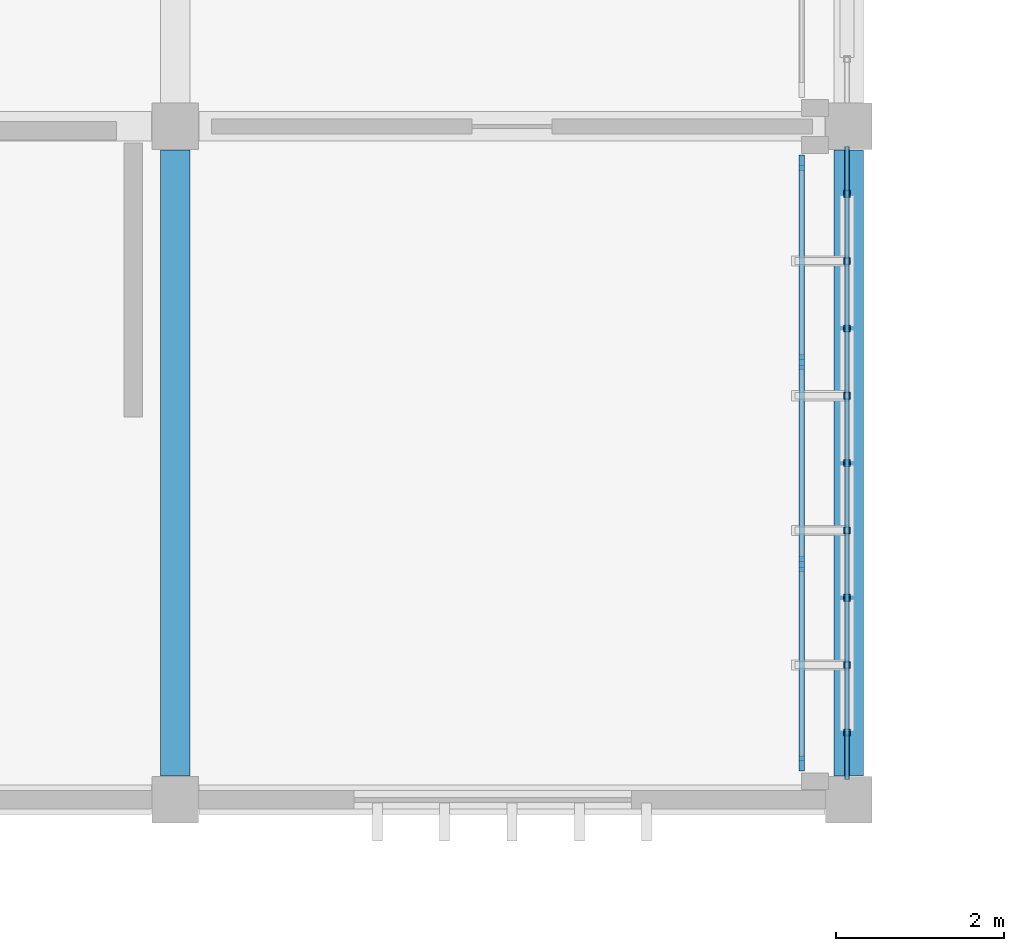
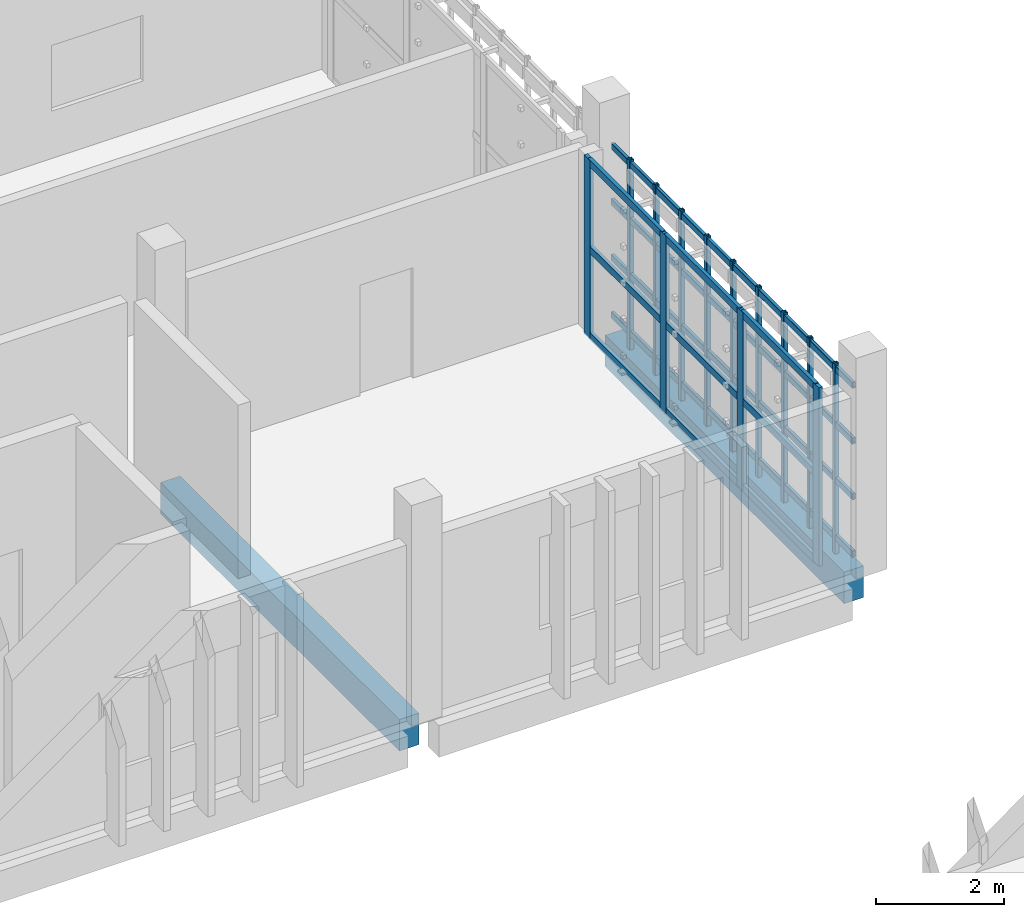
# One storey, part 14 of 32: 26 members, 2 beams, 1 element without a shape of its own.
"""IFC4 building model written with IfcOpenShell, lengths in metres."""

from ifc_helpers import new_model, si_unit, direction, frame, origin, origin_2d, place, context, subcontext, project, spatial, rectangle, hollow_rectangle, extrude, material, layer, layer_set, material_profile, profile_set, type_object, element, aggregate, save


model = new_model("IFC4")

# Units and contexts
model_context = context("Model", 3, precision=1e-05, world=origin(), true_north=direction((0.0, 1.0)))
body_context = subcontext(model_context, "Body", "Model", "MODEL_VIEW")
ifc_project = project(units=[si_unit("LENGTHUNIT", "METRE"), si_unit("AREAUNIT", "SQUARE_METRE"), si_unit("VOLUMEUNIT", "CUBIC_METRE"), si_unit("PLANEANGLEUNIT", "RADIAN"), si_unit("MASSUNIT", "GRAM", prefix="KILO")], contexts=[model_context])

# Site, building, storey
site_placement = place(None, origin())
site = spatial("IfcSite", under=ifc_project, at=site_placement, CompositionType="ELEMENT")
building_placement = place(site_placement, origin())
building = spatial("IfcBuilding", under=site, at=building_placement, Name="Jelvoka-Kovrelna Polytechnic", CompositionType="ELEMENT")
storey_placement = place(building_placement, frame((0.0, 0.0, 26.39990234375)))
storey = spatial("IfcBuildingStorey", under=building, at=storey_placement, Name="L07", CompositionType="ELEMENT", Elevation=26.39990234375)

# Beams
ifc_material_1 = material(Name="Concrete C35/45", Category="concrete")
ifc_material_profile_1 = material_profile(ifc_material_1, rectangle(XDim=0.35009765625, YDim=0.60009765625, at=origin_2d()), Name="RC 350x600")
ifc_profile_set_1 = profile_set([ifc_material_profile_1], Name="Concrete C35/45")
beam_type = type_object("IfcBeamType", Name="Beam_RC_350x600", PredefinedType="BEAM", material=ifc_profile_set_1)
for number, where, z_axis, x_axis, name in (
    (1, (176.0, 56.280029296875, -0.539794921875), (0.0, 1.0, 0.0), (-1.0, 0.0, 0.0), "L07 beam 1897"),
    (2, (184.0, 56.280029296875, -0.539794921875), (0.0, 1.0, 0.0), (-1.0, 0.0, 0.0), "L07 beam 1899"),
):
    element("IfcBeam", number, at=place(storey_placement, frame(where, z_axis=z_axis, x_axis=x_axis)), inside=storey, type_object=beam_type, Name=name, PredefinedType="BEAM", context=body_context, shape_type="SweptSolid", body=[
        extrude(rectangle(XDim=0.35009765625, YDim=0.60009765625, at=origin_2d()), origin(), (0.0, 0.0, 1.0), 7.43994140625),
    ])

# Members
ifc_material_2 = material(Name="Structural steel S355J2H", Category="steel")
ifc_material_profile_2 = material_profile(ifc_material_2, hollow_rectangle(XDim=0.06005859375, YDim=0.1201171875, WallThickness=0.0048828125, InnerFilletRadius=0.0048828125, OuterFilletRadius=0.007568359375, at=origin_2d()), Name="120x60x5.0 RHS")
ifc_profile_set_2 = profile_set([ifc_material_profile_2], Name="Structural steel S355J2H")
member_type_1 = type_object("IfcMemberType", Name="Member_Strut_RHS120", PredefinedType="STRUT", material=ifc_profile_set_2)
for number, where, z_axis, x_axis, name in (
    (3, (183.97998046875, 56.239990234375, 0.080078125), (0.0, 1.0, 0.0), (-1.0, 0.0, 0.0), "L07 terracotta screen horizontal strut 0807"),
    (4, (183.97998046875, 56.239990234375, 1.17138671875), (0.0, 1.0, 0.0), (-1.0, 0.0, 0.0), "L07 terracotta screen horizontal strut 0808"),
    (5, (183.97998046875, 56.239990234375, 2.230712890625), (0.0, 1.0, 0.0), (-1.0, 0.0, 0.0), "L07 terracotta screen horizontal strut 0809"),
    (6, (183.97998046875, 56.239990234375, 3.2900390625), (0.0, 1.0, 0.0), (-1.0, 0.0, 0.0), "L07 terracotta screen horizontal strut 0810"),
):
    element("IfcMember", number, at=place(storey_placement, frame(where, z_axis=z_axis, x_axis=x_axis)), inside=storey, type_object=member_type_1, Name=name, PredefinedType="STRUT", context=body_context, shape_type="SweptSolid", body=[
        extrude(hollow_rectangle(XDim=0.06005859375, YDim=0.1201171875, WallThickness=0.0048828125, InnerFilletRadius=0.0048828125, OuterFilletRadius=0.007568359375, at=origin_2d()), origin(), (0.0, 0.0, 1.0), 7.52001953125),
    ])
ifc_material_3 = material(Name="Structural steel S355J2H", Category="steel")
ifc_material_profile_3 = material_profile(ifc_material_3, hollow_rectangle(XDim=0.080078125, YDim=0.080078125, WallThickness=0.0048828125, InnerFilletRadius=0.0048828125, OuterFilletRadius=0.007568359375, at=origin_2d()), Name="80x80x5.0 SHS")
ifc_profile_set_3 = profile_set([ifc_material_profile_3], Name="Structural steel S355J2H")
member_type_2 = type_object("IfcMemberType", Name="Member_Strut_SHS80", PredefinedType="STRUT", material=ifc_profile_set_3)
for number, where, z_axis, x_axis, name in (
    (7, (183.97998046875, 56.800048828125, -0.22998046875), (0.0, 0.0, 1.0), (1.0, 0.0, 0.0), "L07 terracotta lattice vertical rib 0811"),
    (8, (183.97998046875, 57.60009765625, -0.22998046875), (0.0, 0.0, 1.0), (1.0, 0.0, 0.0), "L07 terracotta lattice vertical rib 0812"),
    (9, (183.97998046875, 58.39990234375, -0.22998046875), (0.0, 0.0, 1.0), (1.0, 0.0, 0.0), "L07 terracotta lattice vertical rib 0813"),
    (10, (183.97998046875, 59.199951171875, -0.22998046875), (0.0, 0.0, 1.0), (1.0, 0.0, 0.0), "L07 terracotta lattice vertical rib 0814"),
    (11, (183.97998046875, 60.0, -0.22998046875), (0.0, 0.0, 1.0), (1.0, 0.0, 0.0), "L07 terracotta lattice vertical rib 0815"),
    (12, (183.97998046875, 60.800048828125, -0.22998046875), (0.0, 0.0, 1.0), (1.0, 0.0, 0.0), "L07 terracotta lattice vertical rib 0816"),
    (13, (183.97998046875, 61.60009765625, -0.22998046875), (0.0, 0.0, 1.0), (1.0, 0.0, 0.0), "L07 terracotta lattice vertical rib 0817"),
    (14, (183.97998046875, 62.39990234375, -0.22998046875), (0.0, 0.0, 1.0), (1.0, 0.0, 0.0), "L07 terracotta lattice vertical rib 0818"),
    (15, (183.97998046875, 63.199951171875, -0.22998046875), (0.0, 0.0, 1.0), (1.0, 0.0, 0.0), "L07 terracotta lattice vertical rib 0819"),
):
    element("IfcMember", number, at=place(storey_placement, frame(where, z_axis=z_axis, x_axis=x_axis)), inside=storey, type_object=member_type_2, Name=name, PredefinedType="STRUT", context=body_context, shape_type="SweptSolid", body=[
        extrude(hollow_rectangle(XDim=0.080078125, YDim=0.080078125, WallThickness=0.0048828125, InnerFilletRadius=0.0048828125, OuterFilletRadius=0.007568359375, at=origin_2d()), origin(), (0.0, 0.0, 1.0), 3.610107421875),
    ])

# Curtain wall, members
ifc_material_4 = material(Name="Anodised aluminium 6063-T6", Category="aluminium")
ifc_layer = layer(ifc_material_4, 0.179931640625)
ifc_layer_set = layer_set([ifc_layer], Name="Anodised aluminium 6063-T6")
curtain_wall_type = type_object("IfcCurtainWallType", Name="CW_Recessed_B", PredefinedType="NOTDEFINED", material=ifc_layer_set)
curtain_wall_placement = place(storey_placement, origin())
curtain_wall = element("IfcCurtainWall", 16, at=curtain_wall_placement, inside=storey, type_object=curtain_wall_type, Name="L07 glazed curtain wall 095", PredefinedType="NOTDEFINED")
ifc_material_5 = material(Name="Anodised aluminium 6063-T6", Category="aluminium")
ifc_material_profile_4 = material_profile(ifc_material_5, rectangle(XDim=0.06494140625, YDim=0.179931640625, at=origin_2d()), Name="ALU 65x180")
ifc_profile_set_4 = profile_set([ifc_material_profile_4], Name="Anodised aluminium 6063-T6")
member_type_3 = type_object("IfcMemberType", Name="Mullion_M-02", PredefinedType="MULLION", material=ifc_profile_set_4)
member_1_placement = place(storey_placement, frame((183.43994140625, 63.5673828125, -0.02490234375), z_axis=(0.0, 0.0, 1.0), x_axis=(1.0, 0.0, 0.0)))
member_1 = element("IfcMember", 17, at=member_1_placement, type_object=member_type_3, Name="CW-02 mullion 1", PredefinedType="MULLION", context=body_context, shape_type="SweptSolid", body=[
    extrude(rectangle(XDim=0.06494140625, YDim=0.179931640625, at=origin_2d()), origin(), (0.0, 0.0, 1.0), 3.400146484375),
])
member_2_placement = place(storey_placement, frame((183.43994140625, 61.199951171875, -0.02490234375), z_axis=(0.0, 0.0, 1.0), x_axis=(1.0, 0.0, 0.0)))
member_2 = element("IfcMember", 18, at=member_2_placement, type_object=member_type_3, Name="CW-02 mullion 2", PredefinedType="MULLION", context=body_context, shape_type="SweptSolid", body=[
    extrude(rectangle(XDim=0.06494140625, YDim=0.179931640625, at=origin_2d()), origin(), (0.0, 0.0, 1.0), 3.400146484375),
])
member_3_placement = place(storey_placement, frame((183.43994140625, 58.800048828125, -0.02490234375), z_axis=(0.0, 0.0, 1.0), x_axis=(1.0, 0.0, 0.0)))
member_3 = element("IfcMember", 19, at=member_3_placement, type_object=member_type_3, Name="CW-02 mullion 3", PredefinedType="MULLION", context=body_context, shape_type="SweptSolid", body=[
    extrude(rectangle(XDim=0.06494140625, YDim=0.179931640625, at=origin_2d()), origin(), (0.0, 0.0, 1.0), 3.400146484375),
])
member_4_placement = place(storey_placement, frame((183.43994140625, 56.4326171875, -0.02490234375), z_axis=(0.0, 0.0, 1.0), x_axis=(1.0, 0.0, 0.0)))
member_4 = element("IfcMember", 20, at=member_4_placement, type_object=member_type_3, Name="CW-02 mullion 4", PredefinedType="MULLION", context=body_context, shape_type="SweptSolid", body=[
    extrude(rectangle(XDim=0.06494140625, YDim=0.179931640625, at=origin_2d()), origin(), (0.0, 0.0, 1.0), 3.400146484375),
])
ifc_material_6 = material(Name="Anodised aluminium 6063-T6", Category="aluminium")
ifc_material_profile_5 = material_profile(ifc_material_6, rectangle(XDim=0.06494140625, YDim=0.135009765625, at=origin_2d()), Name="ALU 65x135")
ifc_profile_set_5 = profile_set([ifc_material_profile_5], Name="Anodised aluminium 6063-T6")
member_type_4 = type_object("IfcMemberType", Name="Transom_T-02", PredefinedType="USERDEFINED", material=ifc_profile_set_5)
member_5_placement = place(storey_placement, frame((183.43994140625, 63.534912109375, 0.03271484375), z_axis=(0.0, -1.0, 0.0), x_axis=(1.0, 0.0, 0.0)))
member_5 = element("IfcMember", 21, at=member_5_placement, type_object=member_type_4, Name="CW-02 transom 1.1", ObjectType="TRANSOM", PredefinedType="USERDEFINED", context=body_context, shape_type="SweptSolid", body=[
    extrude(rectangle(XDim=0.06494140625, YDim=0.135009765625, at=origin_2d()), origin(), (0.0, 0.0, 1.0), 2.302490234375),
])
member_6_placement = place(storey_placement, frame((183.43994140625, 63.534912109375, 1.675048828125), z_axis=(0.0, -1.0, 0.0), x_axis=(1.0, 0.0, 0.0)))
member_6 = element("IfcMember", 22, at=member_6_placement, type_object=member_type_4, Name="CW-02 transom 1.2", ObjectType="TRANSOM", PredefinedType="USERDEFINED", context=body_context, shape_type="SweptSolid", body=[
    extrude(rectangle(XDim=0.06494140625, YDim=0.135009765625, at=origin_2d()), origin(), (0.0, 0.0, 1.0), 2.302490234375),
])
member_7_placement = place(storey_placement, frame((183.43994140625, 63.534912109375, 3.317626953125), z_axis=(0.0, -1.0, 0.0), x_axis=(1.0, 0.0, 0.0)))
member_7 = element("IfcMember", 23, at=member_7_placement, type_object=member_type_4, Name="CW-02 transom 1.3", ObjectType="TRANSOM", PredefinedType="USERDEFINED", context=body_context, shape_type="SweptSolid", body=[
    extrude(rectangle(XDim=0.06494140625, YDim=0.135009765625, at=origin_2d()), origin(), (0.0, 0.0, 1.0), 2.302490234375),
])
member_8_placement = place(storey_placement, frame((183.43994140625, 61.16748046875, 0.03271484375), z_axis=(0.0, -1.0, 0.0), x_axis=(1.0, 0.0, 0.0)))
member_8 = element("IfcMember", 24, at=member_8_placement, type_object=member_type_4, Name="CW-02 transom 2.1", ObjectType="TRANSOM", PredefinedType="USERDEFINED", context=body_context, shape_type="SweptSolid", body=[
    extrude(rectangle(XDim=0.06494140625, YDim=0.135009765625, at=origin_2d()), origin(), (0.0, 0.0, 1.0), 2.3349609375),
])
member_9_placement = place(storey_placement, frame((183.43994140625, 61.16748046875, 1.675048828125), z_axis=(0.0, -1.0, 0.0), x_axis=(1.0, 0.0, 0.0)))
member_9 = element("IfcMember", 25, at=member_9_placement, type_object=member_type_4, Name="CW-02 transom 2.2", ObjectType="TRANSOM", PredefinedType="USERDEFINED", context=body_context, shape_type="SweptSolid", body=[
    extrude(rectangle(XDim=0.06494140625, YDim=0.135009765625, at=origin_2d()), origin(), (0.0, 0.0, 1.0), 2.3349609375),
])
member_10_placement = place(storey_placement, frame((183.43994140625, 61.16748046875, 3.317626953125), z_axis=(0.0, -1.0, 0.0), x_axis=(1.0, 0.0, 0.0)))
member_10 = element("IfcMember", 26, at=member_10_placement, type_object=member_type_4, Name="CW-02 transom 2.3", ObjectType="TRANSOM", PredefinedType="USERDEFINED", context=body_context, shape_type="SweptSolid", body=[
    extrude(rectangle(XDim=0.06494140625, YDim=0.135009765625, at=origin_2d()), origin(), (0.0, 0.0, 1.0), 2.3349609375),
])
member_11_placement = place(storey_placement, frame((183.43994140625, 58.767578125, 0.03271484375), z_axis=(0.0, -1.0, 0.0), x_axis=(1.0, 0.0, 0.0)))
member_11 = element("IfcMember", 27, at=member_11_placement, type_object=member_type_4, Name="CW-02 transom 3.1", ObjectType="TRANSOM", PredefinedType="USERDEFINED", context=body_context, shape_type="SweptSolid", body=[
    extrude(rectangle(XDim=0.06494140625, YDim=0.135009765625, at=origin_2d()), origin(), (0.0, 0.0, 1.0), 2.302490234375),
])
member_12_placement = place(storey_placement, frame((183.43994140625, 58.767578125, 1.675048828125), z_axis=(0.0, -1.0, 0.0), x_axis=(1.0, 0.0, 0.0)))
member_12 = element("IfcMember", 28, at=member_12_placement, type_object=member_type_4, Name="CW-02 transom 3.2", ObjectType="TRANSOM", PredefinedType="USERDEFINED", context=body_context, shape_type="SweptSolid", body=[
    extrude(rectangle(XDim=0.06494140625, YDim=0.135009765625, at=origin_2d()), origin(), (0.0, 0.0, 1.0), 2.302490234375),
])
member_13_placement = place(storey_placement, frame((183.43994140625, 58.767578125, 3.317626953125), z_axis=(0.0, -1.0, 0.0), x_axis=(1.0, 0.0, 0.0)))
member_13 = element("IfcMember", 29, at=member_13_placement, type_object=member_type_4, Name="CW-02 transom 3.3", ObjectType="TRANSOM", PredefinedType="USERDEFINED", context=body_context, shape_type="SweptSolid", body=[
    extrude(rectangle(XDim=0.06494140625, YDim=0.135009765625, at=origin_2d()), origin(), (0.0, 0.0, 1.0), 2.302490234375),
])
aggregate(curtain_wall, [member_1, member_2, member_3, member_4, member_5, member_6, member_7, member_8, member_9, member_10, member_11, member_12, member_13])

save(model, "model.ifc")
